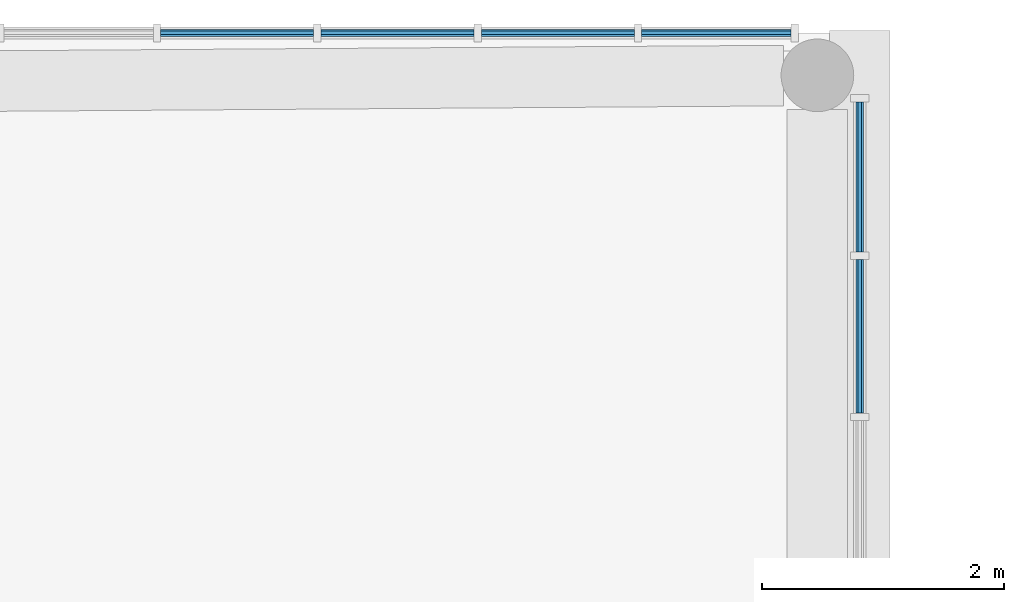
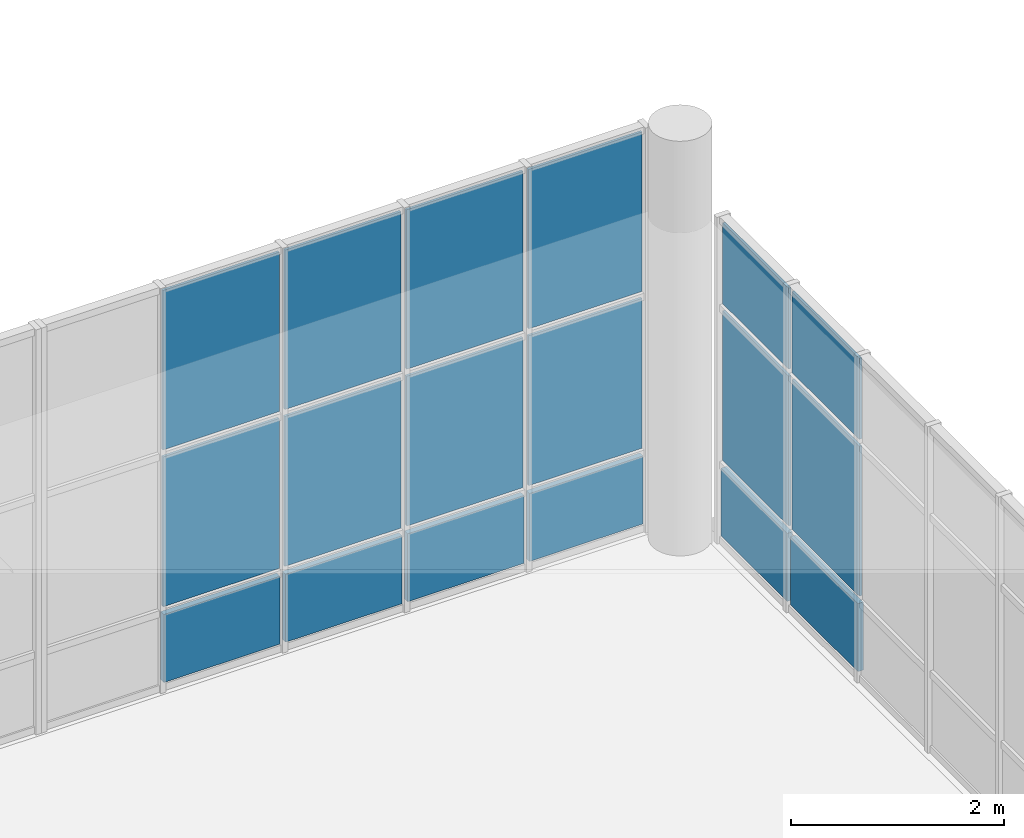
# One storey, part 56 of 119: 18 plates, 2 elements without a shape of their own.
"""IFC4 building model written with IfcOpenShell, lengths in metres."""

from ifc_helpers import new_model, si_unit, direction, frame, origin, origin_2d, place, context, subcontext, project, spatial, rectangle, extrude, material, layer, layer_set, type_object, element, aggregate, save


model = new_model("IFC4")

# Units and contexts
model_context = context("Model", 3, precision=1e-05, world=origin(), true_north=direction((0.0, 1.0)))
body_context = subcontext(model_context, "Body", "Model", "MODEL_VIEW")
ifc_project = project(units=[si_unit("LENGTHUNIT", "METRE"), si_unit("AREAUNIT", "SQUARE_METRE"), si_unit("VOLUMEUNIT", "CUBIC_METRE"), si_unit("PLANEANGLEUNIT", "RADIAN"), si_unit("MASSUNIT", "GRAM", prefix="KILO")], contexts=[model_context])

# Site, building, storey
site_placement = place(None, origin())
site = spatial("IfcSite", under=ifc_project, at=site_placement, CompositionType="ELEMENT")
building_placement = place(site_placement, origin())
building = spatial("IfcBuilding", under=site, at=building_placement, Name="Larchfold Concert Hall", CompositionType="ELEMENT")
storey_placement = place(building_placement, frame((0.0, 0.0, 4.800048828125)))
storey = spatial("IfcBuildingStorey", under=building, at=storey_placement, Name="L01", CompositionType="ELEMENT", Elevation=4.800048828125)

# Curtain wall, plates
ifc_material_1 = material(Name="Anodised graphite aluminium curtain wall", Category="aluminium")
ifc_layer_1 = layer(ifc_material_1, 0.14990234375)
ifc_layer_set_1 = layer_set([ifc_layer_1], Name="Anodised graphite aluminium curtain wall")
curtain_wall_type = type_object("IfcCurtainWallType", Name="Curtain wall WG", PredefinedType="NOTDEFINED", material=ifc_layer_set_1)
curtain_wall_1_placement = place(storey_placement, origin())
curtain_wall_1 = element("IfcCurtainWall", 1, at=curtain_wall_1_placement, inside=storey, type_object=curtain_wall_type, Name="Curtain wall CW0171", PredefinedType="NOTDEFINED")
ifc_material_2 = material(Name="Insulated glazing unit, glass", Category="glass")
ifc_layer_2 = layer(ifc_material_2, 0.028076171875)
ifc_layer_set_2 = layer_set([ifc_layer_2], Name="Insulated glazing unit, glass")
plate_type_1 = type_object("IfcPlateType", Name="Glass panel 28", PredefinedType="CURTAIN_PANEL", material=ifc_layer_set_2)
plate_1_placement = place(storey_placement, frame((76.199951171875, 129.49609375, 0.93994140625), z_axis=(0.0, 0.0, 1.0), x_axis=(0.0, 1.0, 0.0)))
plate_1 = element("IfcPlate", 2, at=plate_1_placement, type_object=plate_type_1, Name="CW0171 panel 5.2", PredefinedType="CURTAIN_PANEL", context=body_context, shape_type="SweptSolid", body=[
    extrude(rectangle(XDim=1.270751953125, YDim=0.028076171875, at=origin_2d()), origin(), (0.0, 0.0, 1.0), 1.719970703125),
])
plate_2_placement = place(storey_placement, frame((76.199951171875, 129.49609375, 2.740234375), z_axis=(0.0, 0.0, 1.0), x_axis=(0.0, 1.0, 0.0)))
plate_2 = element("IfcPlate", 3, at=plate_2_placement, type_object=plate_type_1, Name="CW0171 panel 5.3", PredefinedType="CURTAIN_PANEL", context=body_context, shape_type="SweptSolid", body=[
    extrude(rectangle(XDim=1.270751953125, YDim=0.028076171875, at=origin_2d()), origin(), (0.0, 0.0, 1.0), 0.929931640625),
])
plate_3_placement = place(storey_placement, frame((76.199951171875, 130.8115234375, 0.93994140625), z_axis=(0.0, 0.0, 1.0), x_axis=(0.0, 1.0, 0.0)))
plate_3 = element("IfcPlate", 4, at=plate_3_placement, type_object=plate_type_1, Name="CW0171 panel 6.2", PredefinedType="CURTAIN_PANEL", context=body_context, shape_type="SweptSolid", body=[
    extrude(rectangle(XDim=1.24072265625, YDim=0.028076171875, at=origin_2d()), origin(), (0.0, 0.0, 1.0), 1.719970703125),
])
plate_4_placement = place(storey_placement, frame((76.199951171875, 130.8115234375, 2.740234375), z_axis=(0.0, 0.0, 1.0), x_axis=(0.0, 1.0, 0.0)))
plate_4 = element("IfcPlate", 5, at=plate_4_placement, type_object=plate_type_1, Name="CW0171 panel 6.3", PredefinedType="CURTAIN_PANEL", context=body_context, shape_type="SweptSolid", body=[
    extrude(rectangle(XDim=1.24072265625, YDim=0.028076171875, at=origin_2d()), origin(), (0.0, 0.0, 1.0), 0.929931640625),
])

curtain_wall_2_placement = place(storey_placement, origin())
curtain_wall_2 = element("IfcCurtainWall", 6, at=curtain_wall_2_placement, inside=storey, type_object=curtain_wall_type, Name="Curtain wall CW0172", PredefinedType="NOTDEFINED")
plate_5_placement = place(storey_placement, frame((75.015869140625, 132.0, 0.93994140625), z_axis=(0.0, 0.0, 1.0), x_axis=(-1.0, 0.0, 0.0)))
plate_5 = element("IfcPlate", 7, at=plate_5_placement, type_object=plate_type_1, Name="CW0172 panel 1.2", PredefinedType="CURTAIN_PANEL", context=body_context, shape_type="SweptSolid", body=[
    extrude(rectangle(XDim=1.233642578125, YDim=0.028076171875, at=origin_2d()), origin(), (0.0, 0.0, 1.0), 1.719970703125),
])
plate_6_placement = place(storey_placement, frame((75.015869140625, 132.0, 2.740234375), z_axis=(0.0, 0.0, 1.0), x_axis=(-1.0, 0.0, 0.0)))
plate_6 = element("IfcPlate", 8, at=plate_6_placement, type_object=plate_type_1, Name="CW0172 panel 1.3", PredefinedType="CURTAIN_PANEL", context=body_context, shape_type="SweptSolid", body=[
    extrude(rectangle(XDim=1.233642578125, YDim=0.028076171875, at=origin_2d()), origin(), (0.0, 0.0, 1.0), 1.829833984375),
])
plate_7_placement = place(storey_placement, frame((73.70703125, 132.0, 0.93994140625), z_axis=(0.0, 0.0, 1.0), x_axis=(-1.0, 0.0, 0.0)))
plate_7 = element("IfcPlate", 9, at=plate_7_placement, type_object=plate_type_1, Name="CW0172 panel 2.2", PredefinedType="CURTAIN_PANEL", context=body_context, shape_type="SweptSolid", body=[
    extrude(rectangle(XDim=1.263671875, YDim=0.028076171875, at=origin_2d()), origin(), (0.0, 0.0, 1.0), 1.719970703125),
])
plate_8_placement = place(storey_placement, frame((73.70703125, 132.0, 2.740234375), z_axis=(0.0, 0.0, 1.0), x_axis=(-1.0, 0.0, 0.0)))
plate_8 = element("IfcPlate", 10, at=plate_8_placement, type_object=plate_type_1, Name="CW0172 panel 2.3", PredefinedType="CURTAIN_PANEL", context=body_context, shape_type="SweptSolid", body=[
    extrude(rectangle(XDim=1.263671875, YDim=0.028076171875, at=origin_2d()), origin(), (0.0, 0.0, 1.0), 1.829833984375),
])
plate_9_placement = place(storey_placement, frame((72.383544921875, 132.0, 0.93994140625), z_axis=(0.0, 0.0, 1.0), x_axis=(-1.0, 0.0, 0.0)))
plate_9 = element("IfcPlate", 11, at=plate_9_placement, type_object=plate_type_1, Name="CW0172 panel 3.2", PredefinedType="CURTAIN_PANEL", context=body_context, shape_type="SweptSolid", body=[
    extrude(rectangle(XDim=1.263671875, YDim=0.028076171875, at=origin_2d()), origin(), (0.0, 0.0, 1.0), 1.719970703125),
])
plate_10_placement = place(storey_placement, frame((72.383544921875, 132.0, 2.740234375), z_axis=(0.0, 0.0, 1.0), x_axis=(-1.0, 0.0, 0.0)))
plate_10 = element("IfcPlate", 12, at=plate_10_placement, type_object=plate_type_1, Name="CW0172 panel 3.3", PredefinedType="CURTAIN_PANEL", context=body_context, shape_type="SweptSolid", body=[
    extrude(rectangle(XDim=1.263671875, YDim=0.028076171875, at=origin_2d()), origin(), (0.0, 0.0, 1.0), 1.829833984375),
])
plate_11_placement = place(storey_placement, frame((71.059814453125, 132.0, 0.93994140625), z_axis=(0.0, 0.0, 1.0), x_axis=(-1.0, 0.0, 0.0)))
plate_11 = element("IfcPlate", 13, at=plate_11_placement, type_object=plate_type_1, Name="CW0172 panel 4.2", PredefinedType="CURTAIN_PANEL", context=body_context, shape_type="SweptSolid", body=[
    extrude(rectangle(XDim=1.263671875, YDim=0.028076171875, at=origin_2d()), origin(), (0.0, 0.0, 1.0), 1.719970703125),
])
plate_12_placement = place(storey_placement, frame((71.059814453125, 132.0, 2.740234375), z_axis=(0.0, 0.0, 1.0), x_axis=(-1.0, 0.0, 0.0)))
plate_12 = element("IfcPlate", 14, at=plate_12_placement, type_object=plate_type_1, Name="CW0172 panel 4.3", PredefinedType="CURTAIN_PANEL", context=body_context, shape_type="SweptSolid", body=[
    extrude(rectangle(XDim=1.263671875, YDim=0.028076171875, at=origin_2d()), origin(), (0.0, 0.0, 1.0), 1.829833984375),
])

# Plate
ifc_material_3 = material(Name="White insulated panel")
ifc_layer_3 = layer(ifc_material_3, 0.06005859375)
ifc_layer_set_3 = layer_set([ifc_layer_3], Name="White insulated panel")
plate_type_2 = type_object("IfcPlateType", Name="Insulated spandrel panel 60", PredefinedType="CURTAIN_PANEL", material=ifc_layer_set_3)
plate_13_placement = place(storey_placement, frame((76.199951171875, 129.49609375, 0.080078125), z_axis=(0.0, 0.0, 1.0), x_axis=(0.0, 1.0, 0.0)))
plate_13 = element("IfcPlate", 15, at=plate_13_placement, type_object=plate_type_2, Name="CW0171 panel 5.1", PredefinedType="CURTAIN_PANEL", context=body_context, shape_type="SweptSolid", body=[
    extrude(rectangle(XDim=1.270751953125, YDim=0.06005859375, at=origin_2d()), origin(), (0.0, 0.0, 1.0), 0.77978515625),
])

plate_14_placement = place(storey_placement, frame((76.199951171875, 130.8115234375, 0.080078125), z_axis=(0.0, 0.0, 1.0), x_axis=(0.0, 1.0, 0.0)))
plate_14 = element("IfcPlate", 16, at=plate_14_placement, type_object=plate_type_2, Name="CW0171 panel 6.1", PredefinedType="CURTAIN_PANEL", context=body_context, shape_type="SweptSolid", body=[
    extrude(rectangle(XDim=1.24072265625, YDim=0.06005859375, at=origin_2d()), origin(), (0.0, 0.0, 1.0), 0.77978515625),
])

aggregate(curtain_wall_1, [plate_13, plate_1, plate_2, plate_14, plate_3, plate_4])

plate_15_placement = place(storey_placement, frame((75.015869140625, 132.0, 0.080078125), z_axis=(0.0, 0.0, 1.0), x_axis=(-1.0, 0.0, 0.0)))
plate_15 = element("IfcPlate", 17, at=plate_15_placement, type_object=plate_type_2, Name="CW0172 panel 1.1", PredefinedType="CURTAIN_PANEL", context=body_context, shape_type="SweptSolid", body=[
    extrude(rectangle(XDim=1.233642578125, YDim=0.06005859375, at=origin_2d()), origin(), (0.0, 0.0, 1.0), 0.77978515625),
])

plate_16_placement = place(storey_placement, frame((73.70703125, 132.0, 0.080078125), z_axis=(0.0, 0.0, 1.0), x_axis=(-1.0, 0.0, 0.0)))
plate_16 = element("IfcPlate", 18, at=plate_16_placement, type_object=plate_type_2, Name="CW0172 panel 2.1", PredefinedType="CURTAIN_PANEL", context=body_context, shape_type="SweptSolid", body=[
    extrude(rectangle(XDim=1.263671875, YDim=0.06005859375, at=origin_2d()), origin(), (0.0, 0.0, 1.0), 0.77978515625),
])

plate_17_placement = place(storey_placement, frame((72.383544921875, 132.0, 0.080078125), z_axis=(0.0, 0.0, 1.0), x_axis=(-1.0, 0.0, 0.0)))
plate_17 = element("IfcPlate", 19, at=plate_17_placement, type_object=plate_type_2, Name="CW0172 panel 3.1", PredefinedType="CURTAIN_PANEL", context=body_context, shape_type="SweptSolid", body=[
    extrude(rectangle(XDim=1.263671875, YDim=0.06005859375, at=origin_2d()), origin(), (0.0, 0.0, 1.0), 0.77978515625),
])

plate_18_placement = place(storey_placement, frame((71.059814453125, 132.0, 0.080078125), z_axis=(0.0, 0.0, 1.0), x_axis=(-1.0, 0.0, 0.0)))
plate_18 = element("IfcPlate", 20, at=plate_18_placement, type_object=plate_type_2, Name="CW0172 panel 4.1", PredefinedType="CURTAIN_PANEL", context=body_context, shape_type="SweptSolid", body=[
    extrude(rectangle(XDim=1.263671875, YDim=0.06005859375, at=origin_2d()), origin(), (0.0, 0.0, 1.0), 0.77978515625),
])

aggregate(curtain_wall_2, [plate_15, plate_5, plate_6, plate_16, plate_7, plate_8, plate_17, plate_9, plate_10, plate_18, plate_11, plate_12])

save(model, "model.ifc")
